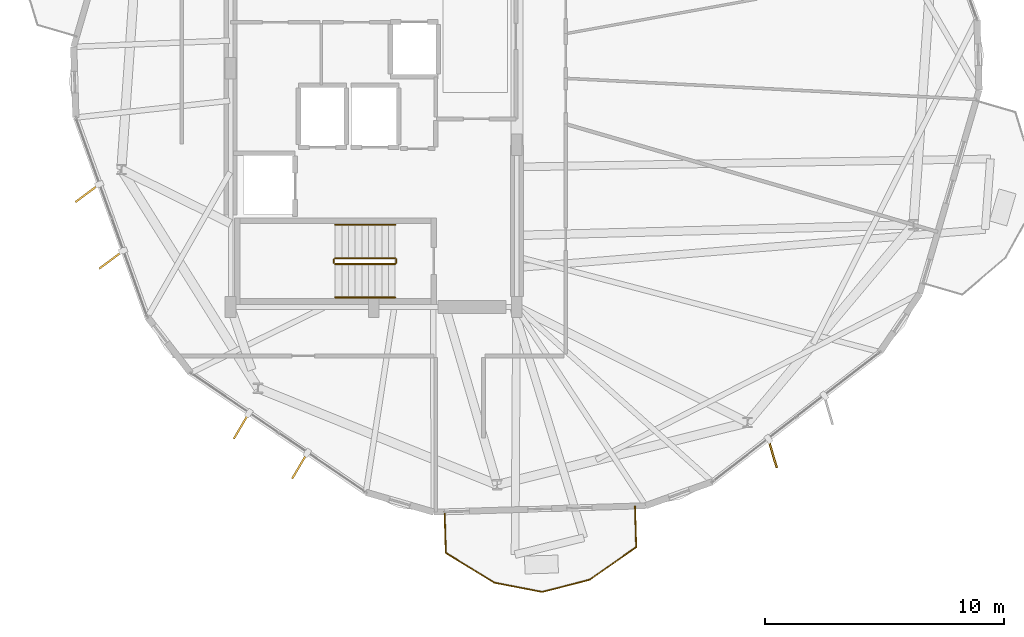
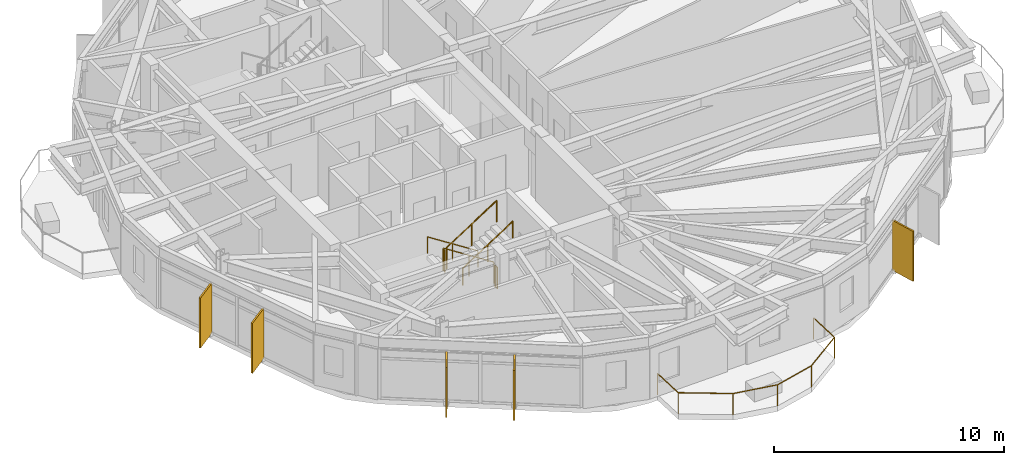
# One storey, part 21 of 23: 7 railings, 5 shading devices.
"""IFC4 building model written with IfcOpenShell, lengths in metres."""

from ifc_helpers import new_model, si_unit, direction, frame, origin, origin_2d, place, context, subcontext, project, spatial, rectangle, circle, extrude, material, layer, layer_set, type_object, element, save


model = new_model("IFC4")

# Units and contexts
model_context = context("Model", 3, precision=1e-05, world=origin(), true_north=direction((0.0, 1.0)))
body_context = subcontext(model_context, "Body", "Model", "MODEL_VIEW")
ifc_project = project(units=[si_unit("LENGTHUNIT", "METRE"), si_unit("AREAUNIT", "SQUARE_METRE"), si_unit("VOLUMEUNIT", "CUBIC_METRE"), si_unit("PLANEANGLEUNIT", "RADIAN"), si_unit("MASSUNIT", "GRAM", prefix="KILO")], contexts=[model_context])

# Site, building, storey
site_placement = place(None, origin())
site = spatial("IfcSite", under=ifc_project, at=site_placement, CompositionType="ELEMENT")
building_placement = place(site_placement, origin())
building = spatial("IfcBuilding", under=site, at=building_placement, Name="Soratama Intermodal Tower", CompositionType="ELEMENT")
storey_placement = place(building_placement, frame((0.0, 0.0, 171.39990234375)))
storey = spatial("IfcBuildingStorey", under=building, at=storey_placement, Name="L42", CompositionType="ELEMENT", Elevation=171.39990234375)

# Railings
ifc_material_1 = material(Name="Laminated glass and stainless steel balustrade", Category="steel")
railing_type_1 = type_object("IfcRailingType", Name="RL-BAL-1150", PredefinedType="BALUSTRADE", material=ifc_material_1)
railing_1_placement = place(storey_placement, frame((49.552490234375, 6.654541015625, 0.0)))
element("IfcRailing", 1, at=railing_1_placement, inside=storey, type_object=railing_type_1, Name="L42 Balcony Balustrade 3", PredefinedType="BALUSTRADE", context=body_context, shape_type="SweptSolid", body=[
    extrude(circle(Radius=0.02392578125, at=origin_2d()), frame((0.0, 0.0, 1.1259765625), z_axis=(0.0303750716, -0.999538571054, 0.0), x_axis=(0.999538571054, 0.0303750716, 0.0)), (0.0, 0.0, 1.0), 1.719970703125),
    extrude(circle(Radius=0.02392578125, at=origin_2d()), frame((0.05224609375, -1.71923828125, 1.1259765625), z_axis=(-0.818914872584, -0.57391500369, 0.0), x_axis=(0.57391500369, -0.818914872584, 0.0)), (0.0, 0.0, 1.0), 2.388671875),
    extrude(circle(Radius=0.02392578125, at=origin_2d()), frame((-1.90380859375, -3.090087890625, 1.1259765625), z_axis=(-0.968506907684, -0.248986685925, 0.0), x_axis=(0.248986685925, -0.968506907684, 0.0)), (0.0, 0.0, 1.0), 2.04638671875),
    extrude(circle(Radius=0.02392578125, at=origin_2d()), frame((-3.8857421875, -3.599609375, 1.1259765625), z_axis=(-0.981848701901, 0.189665828699, 0.0), x_axis=(-0.189665828699, -0.981848701901, 0.0)), (0.0, 0.0, 1.0), 2.046630859375),
    extrude(circle(Radius=0.02392578125, at=origin_2d()), frame((-5.895263671875, -3.21142578125, 1.1259765625), z_axis=(-0.852208803285, 0.523201830657, 0.0), x_axis=(-0.523201830657, -0.852208803285, 0.0)), (0.0, 0.0, 1.0), 2.388671875),
    extrude(circle(Radius=0.02392578125, at=origin_2d()), frame((-7.930908203125, -1.961669921875, 1.1259765625), z_axis=(-0.030233262057, 0.999542870449, 0.0), x_axis=(-0.999542870449, -0.030233262057, 0.0)), (0.0, 0.0, 1.0), 1.719970703125),
    extrude(circle(Radius=0.02099609375, at=origin_2d()), origin(), (0.0, 0.0, 1.0), 1.101806640625),
    extrude(circle(Radius=0.02099609375, at=origin_2d()), frame((0.05224609375, -1.71923828125, 0.0)), (0.0, 0.0, 1.0), 1.101806640625),
    extrude(circle(Radius=0.02099609375, at=origin_2d()), frame((-1.90380859375, -3.090087890625, 0.0)), (0.0, 0.0, 1.0), 1.101806640625),
    extrude(circle(Radius=0.02099609375, at=origin_2d()), frame((-3.8857421875, -3.599609375, 0.0)), (0.0, 0.0, 1.0), 1.101806640625),
    extrude(circle(Radius=0.02099609375, at=origin_2d()), frame((-5.895263671875, -3.21142578125, 0.0)), (0.0, 0.0, 1.0), 1.101806640625),
    extrude(circle(Radius=0.02099609375, at=origin_2d()), frame((-7.930908203125, -1.961669921875, 0.0)), (0.0, 0.0, 1.0), 1.101806640625),
    extrude(circle(Radius=0.02099609375, at=origin_2d()), frame((-7.98291015625, -0.242431640625, 0.0)), (0.0, 0.0, 1.0), 1.101806640625),
])
ifc_material_2 = material(Name="Painted steel stair guardrail", Category="steel")
railing_type_2 = type_object("IfcRailingType", Name="RL-STAIR-GUARD", PredefinedType="GUARDRAIL", material=ifc_material_2)
railing_2_placement = place(storey_placement, frame((39.5, 17.050048828125, 0.18017578125)))
element("IfcRailing", 2, at=railing_2_placement, inside=storey, type_object=railing_type_2, Name="L42 ST-1 stair guard 1", PredefinedType="GUARDRAIL", context=body_context, shape_type="SweptSolid", body=[
    extrude(circle(Radius=0.02392578125, at=origin_2d()), frame((0.0, 0.0, 1.1259765625), z_axis=(-0.841199657755, 0.0, 0.540724639528), x_axis=(0.0, -1.0, 0.0)), (0.0, 0.0, 1.0), 2.995849609375),
    extrude(circle(Radius=0.02099609375, at=origin_2d()), origin(), (0.0, 0.0, 1.0), 1.101806640625),
    extrude(circle(Radius=0.02099609375, at=origin_2d()), frame((-1.260009765625, 0.0, 0.81005859375)), (0.0, 0.0, 1.0), 1.101806640625),
    extrude(circle(Radius=0.02099609375, at=origin_2d()), frame((-2.52001953125, 0.0, 1.619873046875)), (0.0, 0.0, 1.0), 1.101806640625),
])
railing_3_placement = place(storey_placement, frame((36.929931640625, 17.0, 1.800048828125)))
element("IfcRailing", 3, at=railing_3_placement, inside=storey, type_object=railing_type_2, Name="L42 ST-1 stair guard 2", PredefinedType="GUARDRAIL", context=body_context, shape_type="SweptSolid", body=[
    extrude(circle(Radius=0.02392578125, at=origin_2d()), frame((0.0, 0.0, 1.1259765625), z_axis=(0.0, -1.0, 0.0), x_axis=(1.0, 0.0, 0.0)), (0.0, 0.0, 1.0), 0.14990234375),
    extrude(circle(Radius=0.02099609375, at=origin_2d()), origin(), (0.0, 0.0, 1.0), 1.101806640625),
    extrude(circle(Radius=0.02099609375, at=origin_2d()), frame((0.0, -0.14990234375, 0.0)), (0.0, 0.0, 1.0), 1.101806640625),
])
railing_4_placement = place(storey_placement, frame((36.97998046875, 16.800048828125, 1.97998046875)))
element("IfcRailing", 4, at=railing_4_placement, inside=storey, type_object=railing_type_2, Name="L42 ST-1 stair guard 3", PredefinedType="GUARDRAIL", context=body_context, shape_type="SweptSolid", body=[
    extrude(circle(Radius=0.02392578125, at=origin_2d()), frame((0.0, 0.0, 1.1259765625), z_axis=(0.841162588446, 0.0, 0.540782303519), x_axis=(0.0, 1.0, 0.0)), (0.0, 0.0, 1.0), 2.995849609375),
    extrude(circle(Radius=0.02099609375, at=origin_2d()), origin(), (0.0, 0.0, 1.0), 1.101806640625),
    extrude(circle(Radius=0.02099609375, at=origin_2d()), frame((1.260009765625, 0.0, 0.81005859375)), (0.0, 0.0, 1.0), 1.101806640625),
    extrude(circle(Radius=0.02099609375, at=origin_2d()), frame((2.52001953125, 0.0, 1.6201171875)), (0.0, 0.0, 1.0), 1.101806640625),
])
railing_5_placement = place(storey_placement, frame((39.550048828125, 17.0, 0.0)))
element("IfcRailing", 5, at=railing_5_placement, inside=storey, type_object=railing_type_2, Name="L42 ST-1 stair guard 4", PredefinedType="GUARDRAIL", context=body_context, shape_type="SweptSolid", body=[
    extrude(circle(Radius=0.02392578125, at=origin_2d()), frame((0.0, 0.0, 1.1259765625), z_axis=(0.0, -1.0, 0.0), x_axis=(1.0, 0.0, 0.0)), (0.0, 0.0, 1.0), 0.14990234375),
    extrude(circle(Radius=0.02099609375, at=origin_2d()), origin(), (0.0, 0.0, 1.0), 1.101806640625),
    extrude(circle(Radius=0.02099609375, at=origin_2d()), frame((0.0, -0.14990234375, 0.0)), (0.0, 0.0, 1.0), 1.101806640625),
])
ifc_material_3 = material(Name="Brushed stainless steel handrail", Category="steel")
railing_type_3 = type_object("IfcRailingType", Name="RL-STAIR-HAND", PredefinedType="HANDRAIL", material=ifc_material_3)
railing_6_placement = place(storey_placement, frame((39.5, 18.449951171875, 0.18017578125)))
element("IfcRailing", 6, at=railing_6_placement, inside=storey, type_object=railing_type_3, Name="L42 ST-1 stair handrail 1", PredefinedType="HANDRAIL", context=body_context, shape_type="SweptSolid", body=[
    extrude(circle(Radius=0.02392578125, at=origin_2d()), frame((0.0, 0.0, 0.8759765625), z_axis=(-0.841199657755, 0.0, 0.540724639528), x_axis=(0.0, -1.0, 0.0)), (0.0, 0.0, 1.0), 2.995849609375),
    extrude(circle(Radius=0.02099609375, at=origin_2d()), origin(), (0.0, 0.0, 1.0), 0.851806640625),
    extrude(circle(Radius=0.02099609375, at=origin_2d()), frame((-1.260009765625, 0.0, 0.81005859375)), (0.0, 0.0, 1.0), 0.851806640625),
    extrude(circle(Radius=0.02099609375, at=origin_2d()), frame((-2.52001953125, 0.0, 1.619873046875)), (0.0, 0.0, 1.0), 0.851806640625),
])
railing_7_placement = place(storey_placement, frame((36.97998046875, 15.39990234375, 1.97998046875)))
element("IfcRailing", 7, at=railing_7_placement, inside=storey, type_object=railing_type_3, Name="L42 ST-1 stair handrail 2", PredefinedType="HANDRAIL", context=body_context, shape_type="SweptSolid", body=[
    extrude(circle(Radius=0.02392578125, at=origin_2d()), frame((0.0, 0.0, 0.8759765625), z_axis=(0.841162588446, 0.0, 0.540782303519), x_axis=(0.0, 1.0, 0.0)), (0.0, 0.0, 1.0), 2.995849609375),
    extrude(circle(Radius=0.02099609375, at=origin_2d()), origin(), (0.0, 0.0, 1.0), 0.851806640625),
    extrude(circle(Radius=0.02099609375, at=origin_2d()), frame((1.260009765625, 0.0, 0.81005859375)), (0.0, 0.0, 1.0), 0.851806640625),
    extrude(circle(Radius=0.02099609375, at=origin_2d()), frame((2.52001953125, 0.0, 1.6201171875)), (0.0, 0.0, 1.0), 0.851806640625),
])

# Shading devices
ifc_material_4 = material(Name="Champagne anodised aluminium solar fin", Category="aluminium")
ifc_layer = layer(ifc_material_4, 0.080078125)
ifc_layer_set = layer_set([ifc_layer], Name="Champagne anodised aluminium solar fin")
shading_device_type = type_object("IfcShadingDeviceType", Name="SH-FIN-1250", PredefinedType="USERDEFINED", material=ifc_layer_set)
for number, where, z_axis, x_axis, name in (
    (8, (26.593017578125, 19.7685546875, 0.02001953125), (0.0, 0.0, 1.0), (-0.801671326767, -0.597765074121, 0.0), "L42 Solar Fin F05-1"),
    (9, (27.593505859375, 16.980224609375, 0.02001953125), (0.0, 0.0, 1.0), (-0.801671326767, -0.597765074121, 0.0), "L42 Solar Fin F05-2"),
    (10, (33.0478515625, 10.008544921875, 0.02001953125), (0.0, 0.0, 1.0), (-0.507688737887, -0.861540565163, 0.0), "L42 Solar Fin F06-1"),
    (11, (35.49609375, 8.3408203125, 0.02001953125), (0.0, 0.0, 1.0), (-0.507688737887, -0.861540565163, 0.0), "L42 Solar Fin F06-2"),
    (12, (55.318603515625, 8.864501953125, 0.02001953125), (0.0, 0.0, 1.0), (0.281671660596, -0.959510852267, 0.0), "L42 Solar Fin F08-1"),
):
    element("IfcShadingDevice", number, at=place(storey_placement, frame(where, z_axis=z_axis, x_axis=x_axis)), inside=storey, type_object=shading_device_type, Name=name, ObjectType="FIN", PredefinedType="USERDEFINED", context=body_context, shape_type="SweptSolid", body=[
        extrude(rectangle(XDim=1.25, YDim=0.080078125, at=origin_2d()), origin(), (0.0, 0.0, 1.0), 2.658935546875),
    ])

save(model, "model.ifc")
